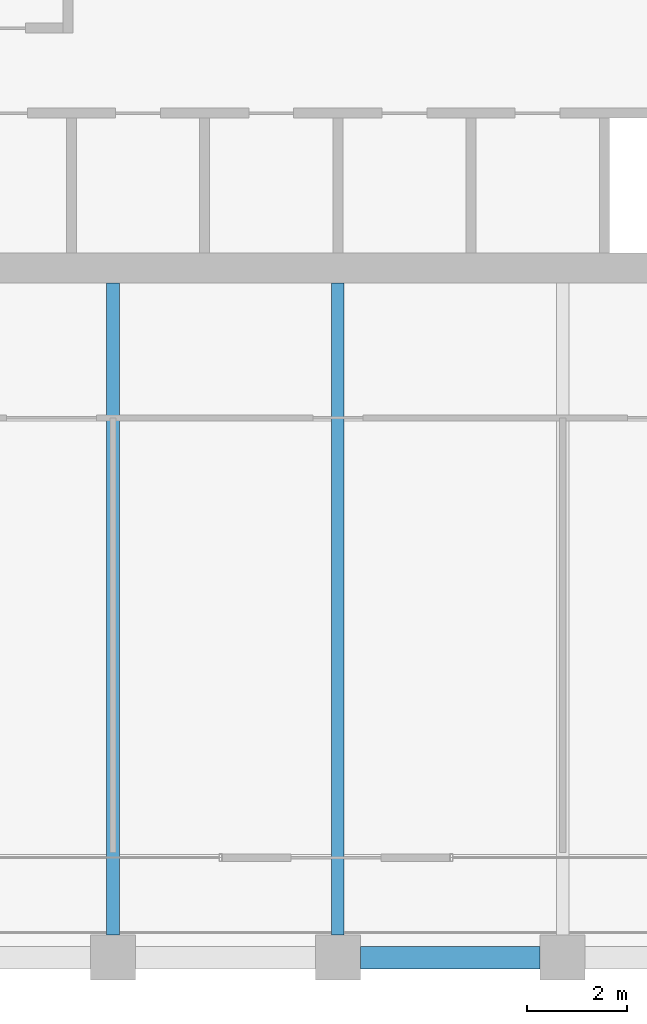
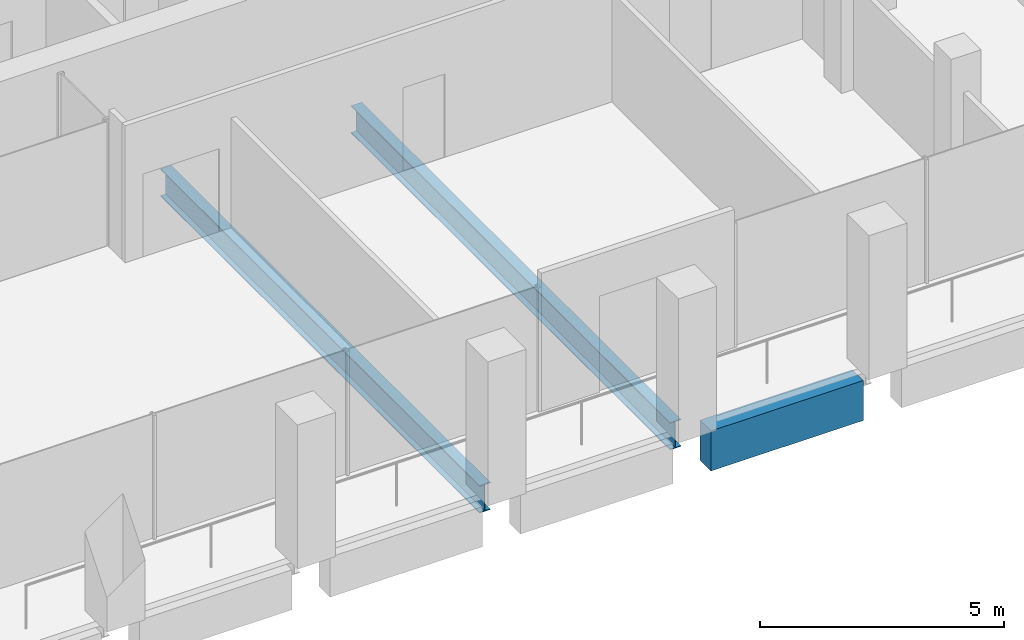
# One storey, part 8 of 40: 3 beams.
"""IFC4 building model written with IfcOpenShell, lengths in metres."""

from ifc_helpers import new_model, si_unit, direction, frame, origin, origin_2d, place, context, subcontext, project, spatial, rectangle, i_section, extrude, material, material_profile, profile_set, type_object, element, save


model = new_model("IFC4")

# Units and contexts
model_context = context("Model", 3, precision=1e-05, world=origin(), true_north=direction((0.0, 1.0)))
body_context = subcontext(model_context, "Body", "Model", "MODEL_VIEW")
ifc_project = project(units=[si_unit("LENGTHUNIT", "METRE"), si_unit("AREAUNIT", "SQUARE_METRE"), si_unit("VOLUMEUNIT", "CUBIC_METRE"), si_unit("PLANEANGLEUNIT", "RADIAN"), si_unit("MASSUNIT", "GRAM", prefix="KILO")], contexts=[model_context])

# Site, building, storey
site_placement = place(None, origin())
site = spatial("IfcSite", under=ifc_project, at=site_placement, CompositionType="ELEMENT")
building_placement = place(site_placement, origin())
building = spatial("IfcBuilding", under=site, at=building_placement, Name="Altepetl Exchange Towers", CompositionType="ELEMENT")
storey_placement = place(building_placement, frame((0.0, 0.0, 165.39990234375)))
storey = spatial("IfcBuildingStorey", under=building, at=storey_placement, Name="L41", CompositionType="ELEMENT", Elevation=165.39990234375)

# Beams
ifc_material_1 = material(Name="Steel S355", Category="steel")
ifc_material_profile_1 = material_profile(ifc_material_1, i_section(OverallWidth=0.25390625, OverallDepth=0.68408203125, WebThickness=0.012451171875, FlangeThickness=0.018798828125, at=origin_2d()), Name="W27X94")
ifc_profile_set_1 = profile_set([ifc_material_profile_1], Name="Steel S355")
beam_type_1 = type_object("IfcBeamType", Name="Floor beam W27X94", PredefinedType="BEAM", material=ifc_profile_set_1)
for number, where, z_axis, x_axis, name in (
    (1, (45.0, 27.449951171875, -0.491943359375), (0.0, 1.0, 0.0), (-1.0, 0.0, 0.0), "bm:A:L41:015"),
    (2, (49.5, 27.449951171875, -0.491943359375), (0.0, 1.0, 0.0), (-1.0, 0.0, 0.0), "bm:A:L41:016"),
):
    element("IfcBeam", number, at=place(storey_placement, frame(where, z_axis=z_axis, x_axis=x_axis)), inside=storey, type_object=beam_type_1, Name=name, PredefinedType="BEAM", context=body_context, shape_type="SweptSolid", body=[
        extrude(i_section(OverallWidth=0.25390625, OverallDepth=0.68408203125, WebThickness=0.012451171875, FlangeThickness=0.018798828125, at=origin_2d()), origin(), (0.0, 0.0, 1.0), 13.050048828125),
    ])
ifc_material_2 = material(Name="Concrete C50/60 precast with cantera blanca facing", Category="concrete")
ifc_material_profile_2 = material_profile(ifc_material_2, rectangle(XDim=0.449951171875, YDim=1.0, at=origin_2d()), Name="450 x 1000")
ifc_profile_set_2 = profile_set([ifc_material_profile_2], Name="Concrete C50/60 precast with cantera blanca facing")
beam_type_2 = type_object("IfcBeamType", Name="Spandrel beam 450x1000 cantera blanca", PredefinedType="SPANDREL", material=ifc_profile_set_2)
beam_placement = place(storey_placement, frame((49.949951171875, 27.0, -0.64990234375), z_axis=(1.0, 0.0, 0.0), x_axis=(0.0, 1.0, 0.0)))
element("IfcBeam", 3, at=beam_placement, inside=storey, type_object=beam_type_2, Name="sp:A:L41:004", PredefinedType="SPANDREL", context=body_context, shape_type="SweptSolid", body=[
    extrude(rectangle(XDim=0.449951171875, YDim=1.0, at=origin_2d()), origin(), (0.0, 0.0, 1.0), 3.60009765625),
])

save(model, "model.ifc")
